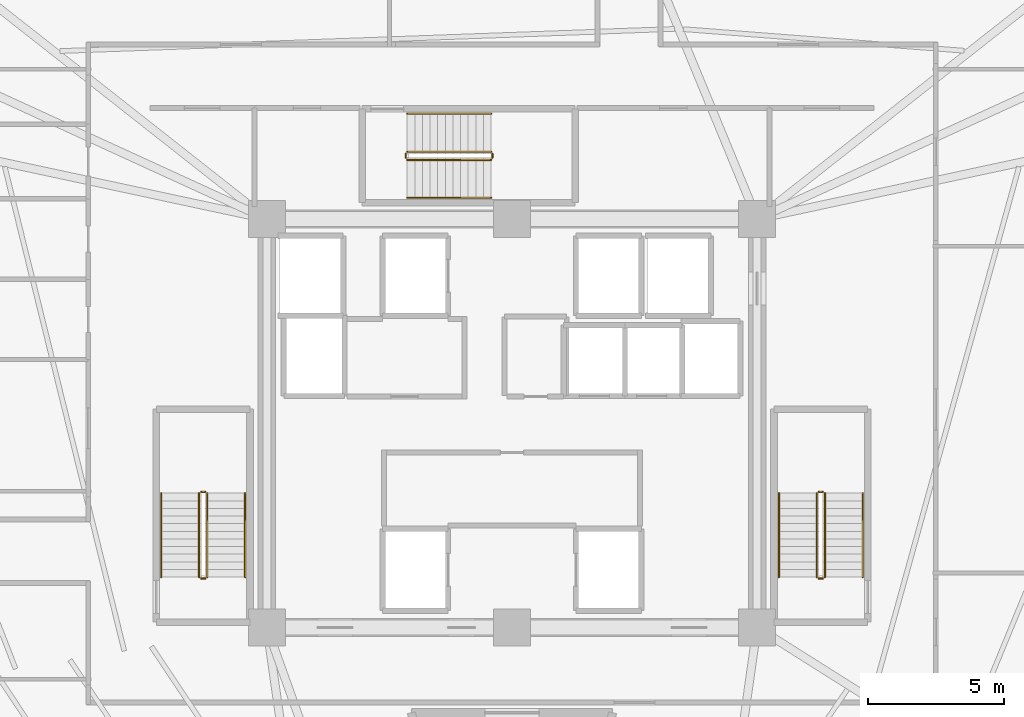
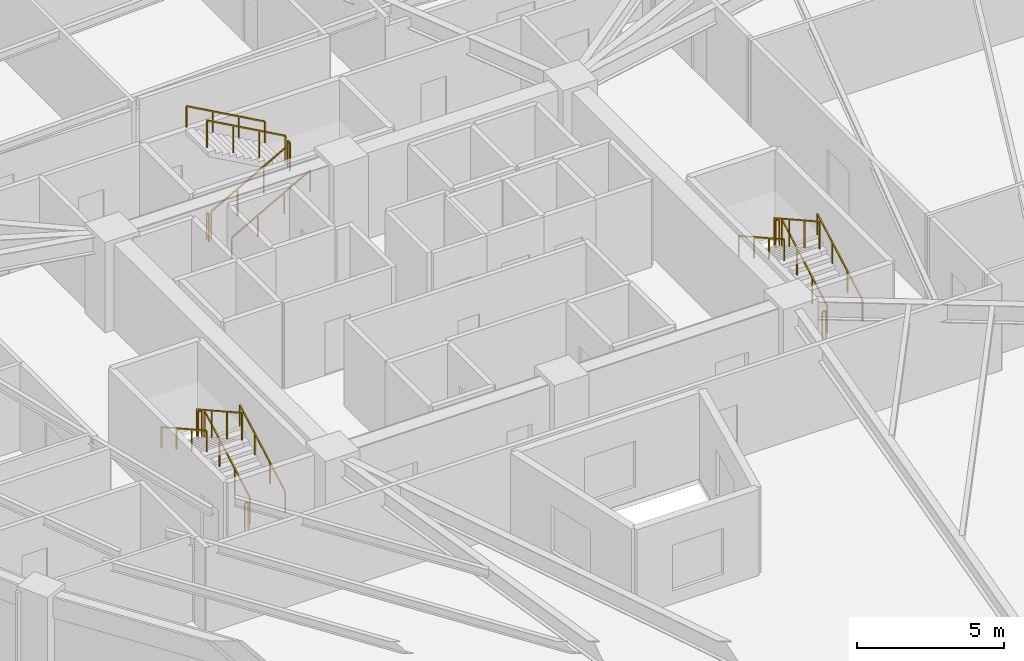
# One storey, part 8 of 8: 18 railings.
"""IFC4 building model written with IfcOpenShell, lengths in metres."""

from ifc_helpers import new_model, si_unit, direction, frame, origin, origin_2d, place, context, subcontext, project, spatial, rectangle, extrude, material, type_object, element, save


model = new_model("IFC4")

# Units and contexts
model_context = context("Model", 3, precision=1e-05, world=origin(), true_north=direction((0.0, 1.0)))
body_context = subcontext(model_context, "Body", "Model", "MODEL_VIEW")
ifc_project = project(units=[si_unit("LENGTHUNIT", "METRE"), si_unit("AREAUNIT", "SQUARE_METRE"), si_unit("VOLUMEUNIT", "CUBIC_METRE"), si_unit("PLANEANGLEUNIT", "RADIAN"), si_unit("MASSUNIT", "GRAM", prefix="KILO")], contexts=[model_context])

# Site, building, storey
site_placement = place(None, origin())
site = spatial("IfcSite", under=ifc_project, at=site_placement, CompositionType="ELEMENT")
building_placement = place(site_placement, origin())
building = spatial("IfcBuilding", under=site, at=building_placement, Name="Liaohun Quay Tower", CompositionType="ELEMENT")
storey_placement = place(building_placement, frame((0.0, 0.0, 243.75)))
storey = spatial("IfcBuildingStorey", under=building, at=storey_placement, Name="L63", CompositionType="ELEMENT", Elevation=243.75)

# Railings
ifc_material_1 = material(Name="Painted tubular steel", Category="steel")
railing_type_1 = type_object("IfcRailingType", Name="RLG-GUARD-STR", PredefinedType="GUARDRAIL", material=ifc_material_1)
railing_1_placement = place(storey_placement, frame((48.81005859375, 48.35009765625, 0.15625)))
element("IfcRailing", 1, at=railing_1_placement, inside=storey, type_object=railing_type_1, Name="L63 ST-1 stair guard 1", PredefinedType="GUARDRAIL", context=body_context, shape_type="SweptSolid", body=[
    extrude(rectangle(XDim=0.048095703125, YDim=0.048095703125, at=origin_2d()), frame((0.0, 0.0, 1.1259765625), z_axis=(0.0, 0.873225103656, 0.487317061414), x_axis=(-1.0, 0.0, 0.0)), (0.0, 0.0, 1.0), 3.52685546875),
    extrude(rectangle(XDim=0.0419921875, YDim=0.0419921875, at=origin_2d()), origin(), (0.0, 0.0, 1.0), 1.101806640625),
    extrude(rectangle(XDim=0.0419921875, YDim=0.0419921875, at=origin_2d()), frame((0.0, 1.026611328125, 0.572998046875)), (0.0, 0.0, 1.0), 1.101806640625),
    extrude(rectangle(XDim=0.0419921875, YDim=0.0419921875, at=origin_2d()), frame((0.0, 2.05322265625, 1.145751953125)), (0.0, 0.0, 1.0), 1.101806640625),
    extrude(rectangle(XDim=0.0419921875, YDim=0.0419921875, at=origin_2d()), frame((0.0, 3.079833984375, 1.71875)), (0.0, 0.0, 1.0), 1.101806640625),
])
railing_2_placement = place(storey_placement, frame((48.72998046875, 51.47998046875, 1.875)))
element("IfcRailing", 2, at=railing_2_placement, inside=storey, type_object=railing_type_1, Name="L63 ST-1 stair guard 2", PredefinedType="GUARDRAIL", context=body_context, shape_type="SweptSolid", body=[
    extrude(rectangle(XDim=0.048095703125, YDim=0.048095703125, at=origin_2d()), frame((0.0, 0.0, 1.1259765625), z_axis=(-1.0, 0.0, 0.0), x_axis=(0.0, -1.0, 0.0)), (0.0, 0.0, 1.0), 0.139892578125),
    extrude(rectangle(XDim=0.0419921875, YDim=0.0419921875, at=origin_2d()), origin(), (0.0, 0.0, 1.0), 1.101806640625),
    extrude(rectangle(XDim=0.0419921875, YDim=0.0419921875, at=origin_2d()), frame((-0.139892578125, 0.0, 0.0)), (0.0, 0.0, 1.0), 1.101806640625),
])
railing_3_placement = place(storey_placement, frame((48.510009765625, 51.429931640625, 2.03125)))
element("IfcRailing", 3, at=railing_3_placement, inside=storey, type_object=railing_type_1, Name="L63 ST-1 stair guard 3", PredefinedType="GUARDRAIL", context=body_context, shape_type="SweptSolid", body=[
    extrude(rectangle(XDim=0.048095703125, YDim=0.048095703125, at=origin_2d()), frame((0.0, 0.0, 1.1259765625), z_axis=(0.0, -0.873225103656, 0.487317061414), x_axis=(1.0, 0.0, 0.0)), (0.0, 0.0, 1.0), 3.52685546875),
    extrude(rectangle(XDim=0.0419921875, YDim=0.0419921875, at=origin_2d()), origin(), (0.0, 0.0, 1.0), 1.101806640625),
    extrude(rectangle(XDim=0.0419921875, YDim=0.0419921875, at=origin_2d()), frame((0.0, -1.026611328125, 0.572998046875)), (0.0, 0.0, 1.0), 1.101806640625),
    extrude(rectangle(XDim=0.0419921875, YDim=0.0419921875, at=origin_2d()), frame((0.0, -2.05322265625, 1.145751953125)), (0.0, 0.0, 1.0), 1.101806640625),
    extrude(rectangle(XDim=0.0419921875, YDim=0.0419921875, at=origin_2d()), frame((0.0, -3.079833984375, 1.71875)), (0.0, 0.0, 1.0), 1.101806640625),
])
railing_4_placement = place(storey_placement, frame((48.72998046875, 48.300048828125, 0.0)))
element("IfcRailing", 4, at=railing_4_placement, inside=storey, type_object=railing_type_1, Name="L63 ST-1 stair guard 4", PredefinedType="GUARDRAIL", context=body_context, shape_type="SweptSolid", body=[
    extrude(rectangle(XDim=0.048095703125, YDim=0.048095703125, at=origin_2d()), frame((0.0, 0.0, 1.1259765625), z_axis=(-1.0, 0.0, 0.0), x_axis=(0.0, -1.0, 0.0)), (0.0, 0.0, 1.0), 0.139892578125),
    extrude(rectangle(XDim=0.0419921875, YDim=0.0419921875, at=origin_2d()), origin(), (0.0, 0.0, 1.0), 1.101806640625),
    extrude(rectangle(XDim=0.0419921875, YDim=0.0419921875, at=origin_2d()), frame((-0.139892578125, 0.0, 0.0)), (0.0, 0.0, 1.0), 1.101806640625),
])
railing_5_placement = place(storey_placement, frame((71.489990234375, 48.35009765625, 0.15625)))
element("IfcRailing", 5, at=railing_5_placement, inside=storey, type_object=railing_type_1, Name="L63 ST-2 stair guard 1", PredefinedType="GUARDRAIL", context=body_context, shape_type="SweptSolid", body=[
    extrude(rectangle(XDim=0.048095703125, YDim=0.048095703125, at=origin_2d()), frame((0.0, 0.0, 1.1259765625), z_axis=(0.0, 0.873225103656, 0.487317061414), x_axis=(-1.0, 0.0, 0.0)), (0.0, 0.0, 1.0), 3.52685546875),
    extrude(rectangle(XDim=0.0419921875, YDim=0.0419921875, at=origin_2d()), origin(), (0.0, 0.0, 1.0), 1.101806640625),
    extrude(rectangle(XDim=0.0419921875, YDim=0.0419921875, at=origin_2d()), frame((0.0, 1.026611328125, 0.572998046875)), (0.0, 0.0, 1.0), 1.101806640625),
    extrude(rectangle(XDim=0.0419921875, YDim=0.0419921875, at=origin_2d()), frame((0.0, 2.05322265625, 1.145751953125)), (0.0, 0.0, 1.0), 1.101806640625),
    extrude(rectangle(XDim=0.0419921875, YDim=0.0419921875, at=origin_2d()), frame((0.0, 3.079833984375, 1.71875)), (0.0, 0.0, 1.0), 1.101806640625),
])
railing_6_placement = place(storey_placement, frame((71.409912109375, 51.47998046875, 1.875)))
element("IfcRailing", 6, at=railing_6_placement, inside=storey, type_object=railing_type_1, Name="L63 ST-2 stair guard 2", PredefinedType="GUARDRAIL", context=body_context, shape_type="SweptSolid", body=[
    extrude(rectangle(XDim=0.048095703125, YDim=0.048095703125, at=origin_2d()), frame((0.0, 0.0, 1.1259765625), z_axis=(-1.0, 0.0, 0.0), x_axis=(0.0, -1.0, 0.0)), (0.0, 0.0, 1.0), 0.139892578125),
    extrude(rectangle(XDim=0.0419921875, YDim=0.0419921875, at=origin_2d()), origin(), (0.0, 0.0, 1.0), 1.101806640625),
    extrude(rectangle(XDim=0.0419921875, YDim=0.0419921875, at=origin_2d()), frame((-0.139892578125, 0.0, 0.0)), (0.0, 0.0, 1.0), 1.101806640625),
])
railing_7_placement = place(storey_placement, frame((71.18994140625, 51.429931640625, 2.03125)))
element("IfcRailing", 7, at=railing_7_placement, inside=storey, type_object=railing_type_1, Name="L63 ST-2 stair guard 3", PredefinedType="GUARDRAIL", context=body_context, shape_type="SweptSolid", body=[
    extrude(rectangle(XDim=0.048095703125, YDim=0.048095703125, at=origin_2d()), frame((0.0, 0.0, 1.1259765625), z_axis=(0.0, -0.873225103656, 0.487317061414), x_axis=(1.0, 0.0, 0.0)), (0.0, 0.0, 1.0), 3.52685546875),
    extrude(rectangle(XDim=0.0419921875, YDim=0.0419921875, at=origin_2d()), origin(), (0.0, 0.0, 1.0), 1.101806640625),
    extrude(rectangle(XDim=0.0419921875, YDim=0.0419921875, at=origin_2d()), frame((0.0, -1.026611328125, 0.572998046875)), (0.0, 0.0, 1.0), 1.101806640625),
    extrude(rectangle(XDim=0.0419921875, YDim=0.0419921875, at=origin_2d()), frame((0.0, -2.05322265625, 1.145751953125)), (0.0, 0.0, 1.0), 1.101806640625),
    extrude(rectangle(XDim=0.0419921875, YDim=0.0419921875, at=origin_2d()), frame((0.0, -3.079833984375, 1.71875)), (0.0, 0.0, 1.0), 1.101806640625),
])
railing_8_placement = place(storey_placement, frame((71.409912109375, 48.300048828125, 0.0)))
element("IfcRailing", 8, at=railing_8_placement, inside=storey, type_object=railing_type_1, Name="L63 ST-2 stair guard 4", PredefinedType="GUARDRAIL", context=body_context, shape_type="SweptSolid", body=[
    extrude(rectangle(XDim=0.048095703125, YDim=0.048095703125, at=origin_2d()), frame((0.0, 0.0, 1.1259765625), z_axis=(-1.0, 0.0, 0.0), x_axis=(0.0, -1.0, 0.0)), (0.0, 0.0, 1.0), 0.139892578125),
    extrude(rectangle(XDim=0.0419921875, YDim=0.0419921875, at=origin_2d()), origin(), (0.0, 0.0, 1.0), 1.101806640625),
    extrude(rectangle(XDim=0.0419921875, YDim=0.0419921875, at=origin_2d()), frame((-0.139892578125, 0.0, 0.0)), (0.0, 0.0, 1.0), 1.101806640625),
])
railing_9_placement = place(storey_placement, frame((56.14990234375, 63.669921875, 0.15625)))
element("IfcRailing", 9, at=railing_9_placement, inside=storey, type_object=railing_type_1, Name="L63 ST-3 stair guard 1", PredefinedType="GUARDRAIL", context=body_context, shape_type="SweptSolid", body=[
    extrude(rectangle(XDim=0.048095703125, YDim=0.048095703125, at=origin_2d()), frame((0.0, 0.0, 1.1259765625), z_axis=(0.873241540666, 0.0, 0.487287606713), x_axis=(0.0, 1.0, 0.0)), (0.0, 0.0, 1.0), 3.527099609375),
    extrude(rectangle(XDim=0.0419921875, YDim=0.0419921875, at=origin_2d()), origin(), (0.0, 0.0, 1.0), 1.101806640625),
    extrude(rectangle(XDim=0.0419921875, YDim=0.0419921875, at=origin_2d()), frame((1.026611328125, 0.0, 0.572998046875)), (0.0, 0.0, 1.0), 1.101806640625),
    extrude(rectangle(XDim=0.0419921875, YDim=0.0419921875, at=origin_2d()), frame((2.053466796875, 0.0, 1.145751953125)), (0.0, 0.0, 1.0), 1.101806640625),
    extrude(rectangle(XDim=0.0419921875, YDim=0.0419921875, at=origin_2d()), frame((3.080078125, 0.0, 1.71875)), (0.0, 0.0, 1.0), 1.101806640625),
])
railing_10_placement = place(storey_placement, frame((59.280029296875, 63.75, 1.875)))
element("IfcRailing", 10, at=railing_10_placement, inside=storey, type_object=railing_type_1, Name="L63 ST-3 stair guard 2", PredefinedType="GUARDRAIL", context=body_context, shape_type="SweptSolid", body=[
    extrude(rectangle(XDim=0.048095703125, YDim=0.048095703125, at=origin_2d()), frame((0.0, 0.0, 1.1259765625), z_axis=(0.0, 1.0, 0.0), x_axis=(-1.0, 0.0, 0.0)), (0.0, 0.0, 1.0), 0.139892578125),
    extrude(rectangle(XDim=0.0419921875, YDim=0.0419921875, at=origin_2d()), origin(), (0.0, 0.0, 1.0), 1.101806640625),
    extrude(rectangle(XDim=0.0419921875, YDim=0.0419921875, at=origin_2d()), frame((0.0, 0.139892578125, 0.0)), (0.0, 0.0, 1.0), 1.101806640625),
])
railing_11_placement = place(storey_placement, frame((59.22998046875, 63.969970703125, 2.03125)))
element("IfcRailing", 11, at=railing_11_placement, inside=storey, type_object=railing_type_1, Name="L63 ST-3 stair guard 3", PredefinedType="GUARDRAIL", context=body_context, shape_type="SweptSolid", body=[
    extrude(rectangle(XDim=0.048095703125, YDim=0.048095703125, at=origin_2d()), frame((0.0, 0.0, 1.1259765625), z_axis=(-0.873241540666, 0.0, 0.487287606713), x_axis=(0.0, -1.0, 0.0)), (0.0, 0.0, 1.0), 3.527099609375),
    extrude(rectangle(XDim=0.0419921875, YDim=0.0419921875, at=origin_2d()), origin(), (0.0, 0.0, 1.0), 1.101806640625),
    extrude(rectangle(XDim=0.0419921875, YDim=0.0419921875, at=origin_2d()), frame((-1.026611328125, 0.0, 0.572998046875)), (0.0, 0.0, 1.0), 1.101806640625),
    extrude(rectangle(XDim=0.0419921875, YDim=0.0419921875, at=origin_2d()), frame((-2.053466796875, 0.0, 1.145751953125)), (0.0, 0.0, 1.0), 1.101806640625),
    extrude(rectangle(XDim=0.0419921875, YDim=0.0419921875, at=origin_2d()), frame((-3.080078125, 0.0, 1.71875)), (0.0, 0.0, 1.0), 1.101806640625),
])
railing_12_placement = place(storey_placement, frame((56.10009765625, 63.75, 0.0)))
element("IfcRailing", 12, at=railing_12_placement, inside=storey, type_object=railing_type_1, Name="L63 ST-3 stair guard 4", PredefinedType="GUARDRAIL", context=body_context, shape_type="SweptSolid", body=[
    extrude(rectangle(XDim=0.048095703125, YDim=0.048095703125, at=origin_2d()), frame((0.0, 0.0, 1.1259765625), z_axis=(0.0, 1.0, 0.0), x_axis=(-1.0, 0.0, 0.0)), (0.0, 0.0, 1.0), 0.139892578125),
    extrude(rectangle(XDim=0.0419921875, YDim=0.0419921875, at=origin_2d()), origin(), (0.0, 0.0, 1.0), 1.101806640625),
    extrude(rectangle(XDim=0.0419921875, YDim=0.0419921875, at=origin_2d()), frame((0.0, 0.139892578125, 0.0)), (0.0, 0.0, 1.0), 1.101806640625),
])
ifc_material_2 = material(Name="Brushed stainless steel", Category="steel")
railing_type_2 = type_object("IfcRailingType", Name="RLG-HND-STR", PredefinedType="HANDRAIL", material=ifc_material_2)
railing_13_placement = place(storey_placement, frame((50.199951171875, 48.35009765625, 0.15625)))
element("IfcRailing", 13, at=railing_13_placement, inside=storey, type_object=railing_type_2, Name="L63 ST-1 stair handrail 1", PredefinedType="HANDRAIL", context=body_context, shape_type="SweptSolid", body=[
    extrude(rectangle(XDim=0.048095703125, YDim=0.048095703125, at=origin_2d()), frame((0.0, 0.0, 0.8759765625), z_axis=(0.0, 0.873225103656, 0.487317061414), x_axis=(-1.0, 0.0, 0.0)), (0.0, 0.0, 1.0), 3.52685546875),
    extrude(rectangle(XDim=0.0419921875, YDim=0.0419921875, at=origin_2d()), origin(), (0.0, 0.0, 1.0), 0.851806640625),
    extrude(rectangle(XDim=0.0419921875, YDim=0.0419921875, at=origin_2d()), frame((0.0, 1.026611328125, 0.572998046875)), (0.0, 0.0, 1.0), 0.851806640625),
    extrude(rectangle(XDim=0.0419921875, YDim=0.0419921875, at=origin_2d()), frame((0.0, 2.05322265625, 1.145751953125)), (0.0, 0.0, 1.0), 0.851806640625),
    extrude(rectangle(XDim=0.0419921875, YDim=0.0419921875, at=origin_2d()), frame((0.0, 3.079833984375, 1.71875)), (0.0, 0.0, 1.0), 0.851806640625),
])
railing_14_placement = place(storey_placement, frame((47.1201171875, 51.429931640625, 2.03125)))
element("IfcRailing", 14, at=railing_14_placement, inside=storey, type_object=railing_type_2, Name="L63 ST-1 stair handrail 2", PredefinedType="HANDRAIL", context=body_context, shape_type="SweptSolid", body=[
    extrude(rectangle(XDim=0.048095703125, YDim=0.048095703125, at=origin_2d()), frame((0.0, 0.0, 0.8759765625), z_axis=(0.0, -0.873225103656, 0.487317061414), x_axis=(1.0, 0.0, 0.0)), (0.0, 0.0, 1.0), 3.52685546875),
    extrude(rectangle(XDim=0.0419921875, YDim=0.0419921875, at=origin_2d()), origin(), (0.0, 0.0, 1.0), 0.851806640625),
    extrude(rectangle(XDim=0.0419921875, YDim=0.0419921875, at=origin_2d()), frame((0.0, -1.026611328125, 0.572998046875)), (0.0, 0.0, 1.0), 0.851806640625),
    extrude(rectangle(XDim=0.0419921875, YDim=0.0419921875, at=origin_2d()), frame((0.0, -2.05322265625, 1.145751953125)), (0.0, 0.0, 1.0), 0.851806640625),
    extrude(rectangle(XDim=0.0419921875, YDim=0.0419921875, at=origin_2d()), frame((0.0, -3.079833984375, 1.71875)), (0.0, 0.0, 1.0), 0.851806640625),
])
railing_15_placement = place(storey_placement, frame((72.8798828125, 48.35009765625, 0.15625)))
element("IfcRailing", 15, at=railing_15_placement, inside=storey, type_object=railing_type_2, Name="L63 ST-2 stair handrail 1", PredefinedType="HANDRAIL", context=body_context, shape_type="SweptSolid", body=[
    extrude(rectangle(XDim=0.048095703125, YDim=0.048095703125, at=origin_2d()), frame((0.0, 0.0, 0.8759765625), z_axis=(0.0, 0.873225103656, 0.487317061414), x_axis=(-1.0, 0.0, 0.0)), (0.0, 0.0, 1.0), 3.52685546875),
    extrude(rectangle(XDim=0.0419921875, YDim=0.0419921875, at=origin_2d()), origin(), (0.0, 0.0, 1.0), 0.851806640625),
    extrude(rectangle(XDim=0.0419921875, YDim=0.0419921875, at=origin_2d()), frame((0.0, 1.026611328125, 0.572998046875)), (0.0, 0.0, 1.0), 0.851806640625),
    extrude(rectangle(XDim=0.0419921875, YDim=0.0419921875, at=origin_2d()), frame((0.0, 2.05322265625, 1.145751953125)), (0.0, 0.0, 1.0), 0.851806640625),
    extrude(rectangle(XDim=0.0419921875, YDim=0.0419921875, at=origin_2d()), frame((0.0, 3.079833984375, 1.71875)), (0.0, 0.0, 1.0), 0.851806640625),
])
railing_16_placement = place(storey_placement, frame((69.800048828125, 51.429931640625, 2.03125)))
element("IfcRailing", 16, at=railing_16_placement, inside=storey, type_object=railing_type_2, Name="L63 ST-2 stair handrail 2", PredefinedType="HANDRAIL", context=body_context, shape_type="SweptSolid", body=[
    extrude(rectangle(XDim=0.048095703125, YDim=0.048095703125, at=origin_2d()), frame((0.0, 0.0, 0.8759765625), z_axis=(0.0, -0.873225103656, 0.487317061414), x_axis=(1.0, 0.0, 0.0)), (0.0, 0.0, 1.0), 3.52685546875),
    extrude(rectangle(XDim=0.0419921875, YDim=0.0419921875, at=origin_2d()), origin(), (0.0, 0.0, 1.0), 0.851806640625),
    extrude(rectangle(XDim=0.0419921875, YDim=0.0419921875, at=origin_2d()), frame((0.0, -1.026611328125, 0.572998046875)), (0.0, 0.0, 1.0), 0.851806640625),
    extrude(rectangle(XDim=0.0419921875, YDim=0.0419921875, at=origin_2d()), frame((0.0, -2.05322265625, 1.145751953125)), (0.0, 0.0, 1.0), 0.851806640625),
    extrude(rectangle(XDim=0.0419921875, YDim=0.0419921875, at=origin_2d()), frame((0.0, -3.079833984375, 1.71875)), (0.0, 0.0, 1.0), 0.851806640625),
])
railing_17_placement = place(storey_placement, frame((56.14990234375, 62.280029296875, 0.15625)))
element("IfcRailing", 17, at=railing_17_placement, inside=storey, type_object=railing_type_2, Name="L63 ST-3 stair handrail 1", PredefinedType="HANDRAIL", context=body_context, shape_type="SweptSolid", body=[
    extrude(rectangle(XDim=0.048095703125, YDim=0.048095703125, at=origin_2d()), frame((0.0, 0.0, 0.8759765625), z_axis=(0.873241540666, 0.0, 0.487287606713), x_axis=(0.0, 1.0, 0.0)), (0.0, 0.0, 1.0), 3.527099609375),
    extrude(rectangle(XDim=0.0419921875, YDim=0.0419921875, at=origin_2d()), origin(), (0.0, 0.0, 1.0), 0.851806640625),
    extrude(rectangle(XDim=0.0419921875, YDim=0.0419921875, at=origin_2d()), frame((1.026611328125, 0.0, 0.572998046875)), (0.0, 0.0, 1.0), 0.851806640625),
    extrude(rectangle(XDim=0.0419921875, YDim=0.0419921875, at=origin_2d()), frame((2.053466796875, 0.0, 1.145751953125)), (0.0, 0.0, 1.0), 0.851806640625),
    extrude(rectangle(XDim=0.0419921875, YDim=0.0419921875, at=origin_2d()), frame((3.080078125, 0.0, 1.71875)), (0.0, 0.0, 1.0), 0.851806640625),
])
railing_18_placement = place(storey_placement, frame((59.22998046875, 65.360107421875, 2.03125)))
element("IfcRailing", 18, at=railing_18_placement, inside=storey, type_object=railing_type_2, Name="L63 ST-3 stair handrail 2", PredefinedType="HANDRAIL", context=body_context, shape_type="SweptSolid", body=[
    extrude(rectangle(XDim=0.048095703125, YDim=0.048095703125, at=origin_2d()), frame((0.0, 0.0, 0.8759765625), z_axis=(-0.873241540666, 0.0, 0.487287606713), x_axis=(0.0, -1.0, 0.0)), (0.0, 0.0, 1.0), 3.527099609375),
    extrude(rectangle(XDim=0.0419921875, YDim=0.0419921875, at=origin_2d()), origin(), (0.0, 0.0, 1.0), 0.851806640625),
    extrude(rectangle(XDim=0.0419921875, YDim=0.0419921875, at=origin_2d()), frame((-1.026611328125, 0.0, 0.572998046875)), (0.0, 0.0, 1.0), 0.851806640625),
    extrude(rectangle(XDim=0.0419921875, YDim=0.0419921875, at=origin_2d()), frame((-2.053466796875, 0.0, 1.145751953125)), (0.0, 0.0, 1.0), 0.851806640625),
    extrude(rectangle(XDim=0.0419921875, YDim=0.0419921875, at=origin_2d()), frame((-3.080078125, 0.0, 1.71875)), (0.0, 0.0, 1.0), 0.851806640625),
])

save(model, "model.ifc")
